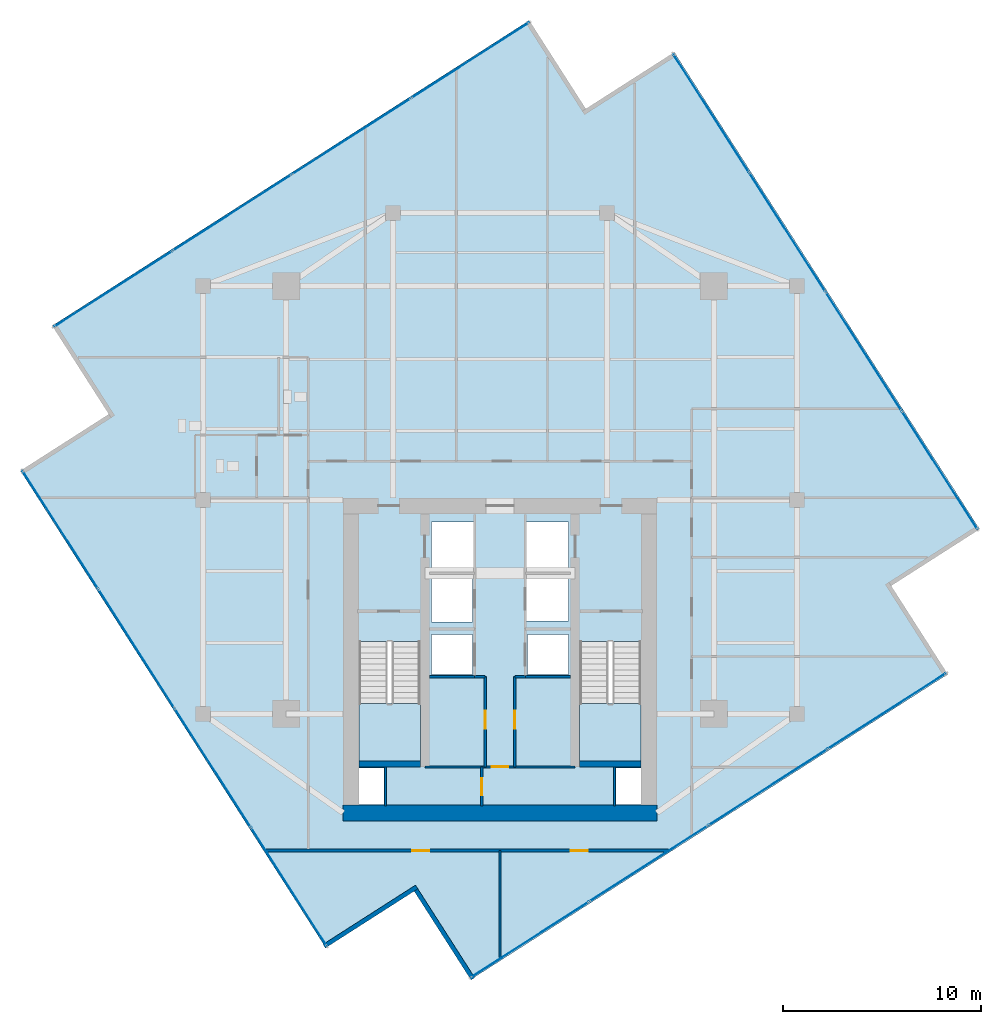
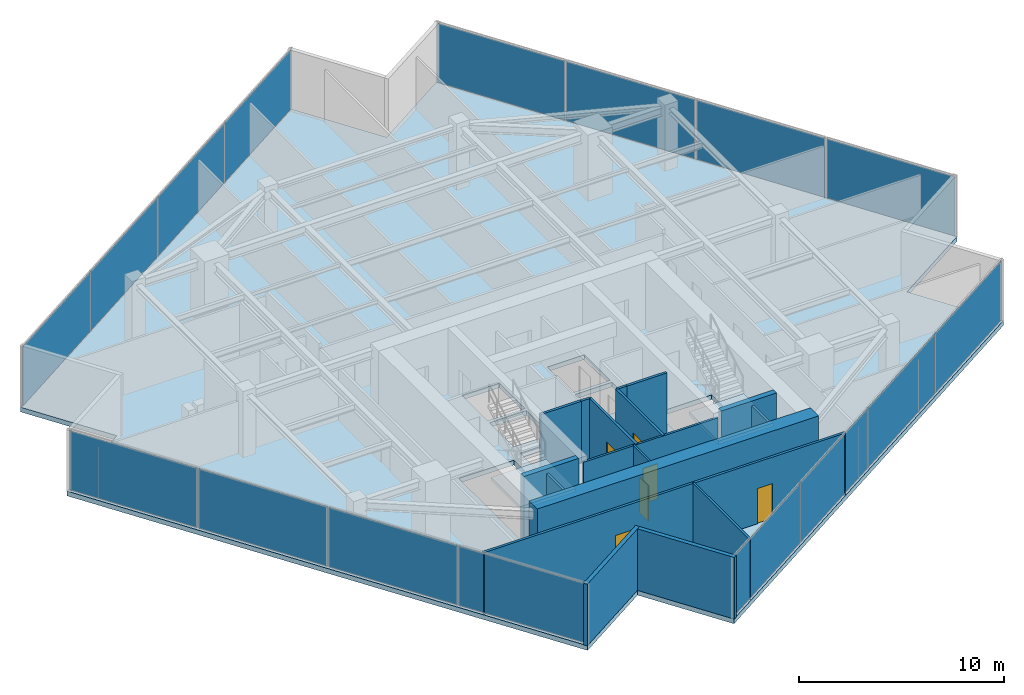
# One storey, part 16 of 20: 17 walls, 16 plates, 6 doors, 3 slabs, 6 openings, 6 elements without a shape of their own.
"""IFC4 building model written with IfcOpenShell, lengths in metres."""

import ifcopenshell
import ifcopenshell.guid

model = None  # the IFC model being written
_history = None  # IfcOwnerHistory: only IFC2X3 demands one
_inside = {}  # id of a spatial element -> (the spatial element, [elements in it])
_under = {}  # id of a project, library or spatial element -> (it, [spatial elements below it])
_declared = {}  # id of a project -> (the project, [libraries it declares])
_typed = {}  # id of a type object -> (the type object, [elements of that type])
_made_of = {}  # id of a material, layer set ... -> (it, [elements and type objects made of it])


def new_model(schema):
    """Start an empty IFC model of exactly this schema.

    Asked for "IFC4X3", IfcOpenShell would pick the latest addendum, in which some entities
    have other attributes; the version numbers below select the first issue.
    IFC2X3 requires an IfcOwnerHistory on every rooted entity: one is made here for all.
    """
    global model, _history
    if schema == "IFC4X3":
        model = ifcopenshell.file(schema_version=(4, 3, 0, 0))
    else:
        model = ifcopenshell.file(schema=schema)
    _inside.clear()
    _under.clear()
    _declared.clear()
    _typed.clear()
    _made_of.clear()
    _history = None
    if model.schema == "IFC2X3":
        org = make("IfcOrganization", Name="unknown")
        user = make(
            "IfcPersonAndOrganization",
            ThePerson=make("IfcPerson", FamilyName="unknown"),
            TheOrganization=org,
        )
        app = make(
            "IfcApplication",
            ApplicationDeveloper=org,
            Version="unknown",
            ApplicationFullName="unknown",
            ApplicationIdentifier="unknown",
        )
        _history = make(
            "IfcOwnerHistory",
            OwningUser=user,
            OwningApplication=app,
            ChangeAction="ADDED",
            CreationDate=0,
        )
    return model


def make(cls, **values):
    """One entity of the class cls with the attributes given. An attribute that is None is left unset."""
    return model.create_entity(
        cls, **{name: value for name, value in values.items() if value is not None}
    )


def rooted(cls, **values):
    """An entity with a GlobalId (a new one), such as an element, a storey or a relation."""
    return make(cls, GlobalId=ifcopenshell.guid.new(), OwnerHistory=_history, **values)


def si_unit(unit_type, name, prefix=None):
    """IfcSIUnit, for example si_unit("LENGTHUNIT", "METRE", prefix="MILLI")."""
    return make("IfcSIUnit", UnitType=unit_type, Prefix=prefix, Name=name)


def assignment(units):
    """IfcUnitAssignment: the units of a project."""
    return None if units is None else make("IfcUnitAssignment", Units=units)


def point(xyz):
    """IfcCartesianPoint."""
    return None if xyz is None else make("IfcCartesianPoint", Coordinates=xyz)


def direction(xyz):
    """IfcDirection."""
    return None if xyz is None else make("IfcDirection", DirectionRatios=xyz)


def frame(location, z_axis=None, x_axis=None):
    """IfcAxis2Placement3D, a coordinate frame: its origin and axes. An axis left out is left unset."""
    return make(
        "IfcAxis2Placement3D",
        Location=point(location),
        Axis=direction(z_axis),
        RefDirection=direction(x_axis),
    )


def frame_2d(location, x_axis=None):
    """IfcAxis2Placement2D, a coordinate frame in the plane: its origin and x axis."""
    return make(
        "IfcAxis2Placement2D", Location=point(location), RefDirection=direction(x_axis)
    )


def origin():
    """The frame at (0, 0, 0) with its axes left unset."""
    return frame((0.0, 0.0, 0.0))


def origin_2d():
    """The frame at (0, 0) in the plane with its x axis left unset."""
    return frame_2d((0.0, 0.0))


def place(relative_to, where):
    """IfcLocalPlacement: puts the frame where relative to a parent placement (None: the world)."""
    return make(
        "IfcLocalPlacement", PlacementRelTo=relative_to, RelativePlacement=where
    )


def context(
    kind, dimensions, precision=None, world=None, true_north=None, identifier=None
):
    """IfcGeometricRepresentationContext, for example the 3D "Model" context."""
    return make(
        "IfcGeometricRepresentationContext",
        ContextIdentifier=identifier,
        ContextType=kind,
        CoordinateSpaceDimension=dimensions,
        Precision=precision,
        WorldCoordinateSystem=world,
        TrueNorth=true_north,
    )


def subcontext(parent, identifier, kind, view, scale=None):
    """IfcGeometricRepresentationSubContext, for example "Body" below "Model"."""
    return make(
        "IfcGeometricRepresentationSubContext",
        ContextIdentifier=identifier,
        ContextType=kind,
        ParentContext=parent,
        TargetScale=scale,
        TargetView=view,
    )


def project(units=None, contexts=None):
    """IfcProject with its units and contexts."""
    return rooted(
        "IfcProject",
        Name="project",
        RepresentationContexts=contexts,
        UnitsInContext=assignment(units),
    )


def spatial(cls, under=None, at=None, **own):
    """A site, building, storey or space (cls), placed at a placement, below another one or the project."""
    s = rooted(cls, ObjectPlacement=at, **own)
    if under is not None:
        _under.setdefault(under.id(), (under, []))[1].append(s)
    return s


def polyline(points):
    """IfcPolyline through the points."""
    return make("IfcPolyline", Points=[point(p) for p in points])


def profile(cls, at=None, kind="AREA", **sizes):
    """A parametric profile (cls). Its sizes go by their IFC names, for example OverallWidth=200.0."""
    return make(cls, ProfileType=kind, Position=at, **sizes)


def rectangle(**sizes):
    """IfcRectangleProfileDef."""
    return profile("IfcRectangleProfileDef", **sizes)


def outline(outer, holes=None, kind="AREA"):
    """IfcArbitraryClosedProfileDef: a profile drawn as a closed curve; with holes, ...WithVoids."""
    if holes is None:
        return make("IfcArbitraryClosedProfileDef", ProfileType=kind, OuterCurve=outer)
    return make(
        "IfcArbitraryProfileDefWithVoids",
        ProfileType=kind,
        OuterCurve=outer,
        InnerCurves=holes,
    )


def extrude(swept, where, along, depth):
    """IfcExtrudedAreaSolid: the profile swept, set in the frame where, extruded along a direction by depth."""
    return make(
        "IfcExtrudedAreaSolid",
        SweptArea=swept,
        Position=where,
        ExtrudedDirection=direction(along),
        Depth=depth,
    )


def shape(context_of_items, identifier, shape_type, items):
    """IfcShapeRepresentation: the items that make up one representation, for example the "Body"."""
    return make(
        "IfcShapeRepresentation",
        ContextOfItems=context_of_items,
        RepresentationIdentifier=identifier,
        RepresentationType=shape_type,
        Items=items,
    )


def source(mapping_origin, context_of_items, identifier, shape_type, items):
    """IfcRepresentationMap: a shape defined once, which mapped items show again and again."""
    return make(
        "IfcRepresentationMap",
        MappingOrigin=mapping_origin,
        MappedRepresentation=shape(context_of_items, identifier, shape_type, items),
    )


def transform(
    local_origin,
    x_axis=None,
    y_axis=None,
    z_axis=None,
    scale=None,
    scale2=None,
    scale3=None,
    uniform=True,
):
    """IfcCartesianTransformationOperator3D, or its non-uniform kind. x_axis, y_axis, z_axis: its Axis1, 2, 3."""
    if uniform:
        return make(
            "IfcCartesianTransformationOperator3D",
            Axis1=direction(x_axis),
            Axis2=direction(y_axis),
            LocalOrigin=point(local_origin),
            Scale=scale,
            Axis3=direction(z_axis),
        )
    return make(
        "IfcCartesianTransformationOperator3DnonUniform",
        Axis1=direction(x_axis),
        Axis2=direction(y_axis),
        LocalOrigin=point(local_origin),
        Scale=scale,
        Axis3=direction(z_axis),
        Scale2=scale2,
        Scale3=scale3,
    )


def mapped(mapping_source, mapping_target):
    """IfcMappedItem: shows the shape of a source again, moved by a transform."""
    return make(
        "IfcMappedItem", MappingSource=mapping_source, MappingTarget=mapping_target
    )


def material(Name=None, Category=None):
    """IfcMaterial."""
    return make("IfcMaterial", Name=Name, Category=Category)


def layer(
    of_material, thickness, ventilated=None, Name=None, Category=None, Priority=None
):
    """IfcMaterialLayer: one layer of a wall or slab, of a material (None: an air gap)."""
    return make(
        "IfcMaterialLayer",
        Material=of_material,
        LayerThickness=thickness,
        IsVentilated=ventilated,
        Name=Name,
        Category=Category,
        Priority=Priority,
    )


def layer_set(layers, Name=None):
    """IfcMaterialLayerSet."""
    return make("IfcMaterialLayerSet", MaterialLayers=layers, LayerSetName=Name)


def made_of(thing, what):
    """Note that an element or type object is made of a material, layer set ...; save() writes the relation."""
    if what is not None:
        _made_of.setdefault(what.id(), (what, []))[1].append(thing)
    return thing


def type_object(cls, material=None, **own):
    """A type object (cls), such as IfcWallType, which elements share."""
    return made_of(rooted(cls, **own), material)


def type_shapes(of_type, sources):
    """Give a type object the sources (RepresentationMaps) that its elements show as mapped items."""
    of_type.RepresentationMaps = sources


def element(
    cls,
    number,
    at=None,
    inside=None,
    cuts=None,
    type_object=None,
    material=None,
    context=None,
    identifier="Body",
    shape_type=None,
    held_by="IfcProductDefinitionShape",
    body=None,
    shapes=None,
    **own,
):
    """One element of the class cls, such as IfcWall. Its Tag is "e" and its number.

    at: its placement. inside: the storey or other place that contains it. cuts: it is an
    opening in that element (IfcRelVoidsElement). A single representation is given by context,
    identifier, shape_type and body (its items); several are given by shapes. held_by: the class
    of the entity that holds the representations. save() writes the other relations.
    """
    e = rooted(cls, Tag="e%d" % number, ObjectPlacement=at, **own)
    if body is not None:
        shapes = [shape(context, identifier, shape_type, body)]
    if shapes is not None:
        e.Representation = make(held_by, Representations=shapes)
    if inside is not None:
        _inside.setdefault(inside.id(), (inside, []))[1].append(e)
    if cuts is not None:
        rooted(
            "IfcRelVoidsElement", RelatingBuildingElement=cuts, RelatedOpeningElement=e
        )
    if type_object is not None:
        _typed.setdefault(type_object.id(), (type_object, []))[1].append(e)
    return made_of(e, material)


def fill(opening, filler):
    """IfcRelFillsElement: the door or window that sits in an opening."""
    return rooted(
        "IfcRelFillsElement",
        RelatingOpeningElement=opening,
        RelatedBuildingElement=filler,
    )


def aggregate(whole, parts):
    """IfcRelAggregates: a whole, such as a stair, and the parts it consists of."""
    return rooted("IfcRelAggregates", RelatingObject=whole, RelatedObjects=parts)


def save(model, path):
    """Write the relations noted so far, then the file.

    IfcRelAggregates (storeys below a building ...), IfcRelContainedInSpatialStructure (elements
    in a storey), IfcRelDefinesByType, IfcRelAssociatesMaterial and IfcRelDeclares: one each for
    every whole, place, type object, material and project.
    """
    for whole, parts in _under.values():
        aggregate(whole, parts)
    for where, things in _inside.values():
        rooted(
            "IfcRelContainedInSpatialStructure",
            RelatedElements=things,
            RelatingStructure=where,
        )
    for kind, things in _typed.values():
        rooted("IfcRelDefinesByType", RelatedObjects=things, RelatingType=kind)
    for what, things in _made_of.values():
        rooted("IfcRelAssociatesMaterial", RelatedObjects=things, RelatingMaterial=what)
    for by, libraries in _declared.values():
        rooted("IfcRelDeclares", RelatingContext=by, RelatedDefinitions=libraries)
    model.write(path)


model = new_model("IFC4")

# Units and contexts
model_context = context("Model", 3, precision=1e-05, world=origin(), true_north=direction((0.0, 1.0)))
body_context = subcontext(model_context, "Body", "Model", "MODEL_VIEW")
ifc_project = project(units=[si_unit("LENGTHUNIT", "METRE"), si_unit("AREAUNIT", "SQUARE_METRE"), si_unit("VOLUMEUNIT", "CUBIC_METRE"), si_unit("PLANEANGLEUNIT", "RADIAN"), si_unit("MASSUNIT", "GRAM", prefix="KILO")], contexts=[model_context])

# Site, building, storey
site_placement = place(None, origin())
site = spatial("IfcSite", under=ifc_project, at=site_placement, CompositionType="ELEMENT")
building_placement = place(site_placement, origin())
building = spatial("IfcBuilding", under=site, at=building_placement, Name="Krantzveldt Concourse Tower", CompositionType="ELEMENT")
storey_placement = place(building_placement, frame((0.0, 0.0, 291.10009765625)))
storey = spatial("IfcBuildingStorey", under=building, at=storey_placement, Name="L71", CompositionType="ELEMENT", Elevation=291.10009765625)

# Stair, slab
ifc_material_1 = material(Name="Precast concrete C40/50", Category="concrete")
stair_type = type_object("IfcStairType", Name="STR-CORE-DOGLEG", PredefinedType="HALF_TURN_STAIR", material=ifc_material_1)
stair_1_placement = place(storey_placement, origin())
stair_1 = element("IfcStair", 1, at=stair_1_placement, inside=storey, type_object=stair_type, Name="L71 Protected Escape Stair ST-1", PredefinedType="HALF_TURN_STAIR")
ifc_layer_1 = layer(ifc_material_1, 0.199951171875, Name="Precast concrete C40/50", Category="concrete")
ifc_layer_set_1 = layer_set([ifc_layer_1], Name="Precast concrete C40/50 (SL-LANDING-200)")
slab_type_1 = type_object("IfcSlabType", Name="SL-LANDING-200", PredefinedType="LANDING", material=ifc_layer_set_1)
slab_1_placement = place(storey_placement, frame((0.0, 0.0, 1.77490234375)))
slab_1 = element("IfcSlab", 2, at=slab_1_placement, type_object=slab_type_1, Name="ST-1 landing 1", PredefinedType="LANDING", context=body_context, shape_type="SweptSolid", body=[
    extrude(outline(polyline([(28.8798828125, 16.4150390625), (28.8798828125, 13.52001953125), (31.97998046875, 13.52001953125), (31.97998046875, 16.4150390625), (28.8798828125, 16.4150390625)])), origin(), (0.0, 0.0, 1.0), 0.199951171875),
])
aggregate(stair_1, [slab_1])

stair_2_placement = place(storey_placement, origin())
stair_2 = element("IfcStair", 3, at=stair_2_placement, inside=storey, type_object=stair_type, Name="L71 Protected Escape Stair ST-2", PredefinedType="HALF_TURN_STAIR")
slab_2_placement = place(storey_placement, frame((0.0, 0.0, 1.77490234375)))
slab_2 = element("IfcSlab", 4, at=slab_2_placement, type_object=slab_type_1, Name="ST-2 landing 1", PredefinedType="LANDING", context=body_context, shape_type="SweptSolid", body=[
    extrude(outline(polyline([(40.02001953125, 16.4150390625), (40.02001953125, 13.52001953125), (43.1201171875, 13.52001953125), (43.1201171875, 16.4150390625), (40.02001953125, 16.4150390625)])), origin(), (0.0, 0.0, 1.0), 0.199951171875),
])
aggregate(stair_2, [slab_2])

# Slab
ifc_material_2 = material(Name="Concrete C40/50", Category="concrete")
ifc_layer_2 = layer(ifc_material_2, 0.280029296875, Name="Concrete C40/50", Category="concrete")
ifc_layer_set_2 = layer_set([ifc_layer_2], Name="Concrete C40/50 (SL-SL-TWR280)")
slab_type_2 = type_object("IfcSlabType", Name="SL-SL-TWR280", PredefinedType="FLOOR", material=ifc_layer_set_2)
slab_3_placement = place(storey_placement, frame((0.0, 0.0, -0.280029296875)))
element("IfcSlab", 5, at=slab_3_placement, inside=storey, type_object=slab_type_2, Name="SL-L71-MAIN", PredefinedType="FLOOR", context=body_context, shape_type="SweptSolid", body=[
    extrude(outline(polyline([(40.333984375, 46.453369140625), (37.4765625, 50.917236328125), (13.38916015625, 35.497802734375), (16.24658203125, 31.033935546875), (11.782958984375, 28.176513671875), (27.2021484375, 4.089111328125), (31.666015625, 6.946533203125), (34.5234375, 2.48291015625), (58.61083984375, 17.902099609375), (55.75341796875, 22.365966796875), (60.217041015625, 25.223388671875), (44.7978515625, 49.310791015625), (40.333984375, 46.453369140625)]), holes=[polyline([(28.8798828125, 19.547607421875), (28.8798828125, 13.52001953125), (31.97998046875, 13.52001953125), (31.97998046875, 19.547607421875), (28.8798828125, 19.547607421875)]), polyline([(40.02001953125, 19.547607421875), (40.02001953125, 13.52001953125), (43.1201171875, 13.52001953125), (43.1201171875, 19.547607421875), (40.02001953125, 19.547607421875)]), polyline([(32.550048828125, 23.10009765625), (34.64990234375, 23.10009765625), (34.64990234375, 25.60009765625), (32.550048828125, 25.60009765625), (32.550048828125, 23.10009765625)]), polyline([(37.35009765625, 23.10009765625), (39.449951171875, 23.10009765625), (39.449951171875, 25.60009765625), (37.35009765625, 25.60009765625), (37.35009765625, 23.10009765625)]), polyline([(37.35009765625, 20.60009765625), (39.449951171875, 20.60009765625), (39.449951171875, 22.89990234375), (37.35009765625, 22.89990234375), (37.35009765625, 20.60009765625)]), polyline([(32.550048828125, 20.550048828125), (34.6201171875, 20.550048828125), (34.6201171875, 22.89990234375), (32.550048828125, 22.89990234375), (32.550048828125, 20.550048828125)]), polyline([(32.550048828125, 17.8798828125), (34.6201171875, 17.8798828125), (34.6201171875, 19.919921875), (32.550048828125, 19.919921875), (32.550048828125, 17.8798828125)]), polyline([(37.3798828125, 17.8798828125), (39.449951171875, 17.8798828125), (39.449951171875, 19.919921875), (37.3798828125, 19.919921875), (37.3798828125, 17.8798828125)]), polyline([(28.8798828125, 11.320068359375), (30.139892578125, 11.320068359375), (30.139892578125, 13.159912109375), (28.8798828125, 13.159912109375), (28.8798828125, 11.320068359375)]), polyline([(41.860107421875, 11.320068359375), (43.1201171875, 11.320068359375), (43.1201171875, 13.159912109375), (41.860107421875, 13.159912109375), (41.860107421875, 11.320068359375)])]), origin(), (0.0, 0.0, 1.0), 0.280029296875),
])

# Curtain wall, plates
ifc_material_3 = material(Name="Anodised aluminium 6063-T6", Category="aluminium")
curtain_wall_type = type_object("IfcCurtainWallType", Name="CW4", PredefinedType="USERDEFINED", material=ifc_material_3)
curtain_wall_1_placement = place(storey_placement, origin())
curtain_wall_1 = element("IfcCurtainWall", 6, at=curtain_wall_1_placement, inside=storey, type_object=curtain_wall_type, Name="CW-L71-F01", ObjectType="UNITISED CURTAIN WALL", PredefinedType="USERDEFINED")
ifc_material_4 = material(Name="Bronze-tinted laminated low-E IGU glass", Category="glass")
ifc_layer_3 = layer(ifc_material_4, 0.031982421875, Name="Bronze-tinted laminated low-E IGU glass", Category="glass")
ifc_layer_set_3 = layer_set([ifc_layer_3], Name="Bronze-tinted laminated low-E IGU glass (CW-GLZ-32)")
plate_type = type_object("IfcPlateType", Name="CW-GLZ-32", PredefinedType="CURTAIN_PANEL", material=ifc_layer_set_3)
shared_shape_1 = source(origin(), body_context, "Body", "SweptSolid", [
    extrude(rectangle(XDim=7.044921875, YDim=0.031982421875, at=origin_2d()), origin(), (0.0, 0.0, 1.0), 3.530029296875),
])
plate_1_placement = place(storey_placement, frame((34.49951171875, 48.904541015625, 0.06982421875), z_axis=(0.0, 0.0, 1.0), x_axis=(-0.842217243088, -0.53913830827, 0.0)))
plate_1 = element("IfcPlate", 7, at=plate_1_placement, type_object=plate_type, Name="CW-Z56 panel 1.1", PredefinedType="CURTAIN_PANEL", context=body_context, shape_type="MappedRepresentation", body=[
    mapped(shared_shape_1, transform((0.0, 0.0, 0.0), x_axis=(1.0, 0.0, 0.0), y_axis=(0.0, 1.0, 0.0), z_axis=(0.0, 0.0, 1.0), scale=1.0)),
])
plate_2_placement = place(storey_placement, frame((16.46337890625, 37.35888671875, 0.06982421875), z_axis=(0.0, 0.0, 1.0), x_axis=(-0.842217243088, -0.53913830827, 0.0)))
plate_2 = element("IfcPlate", 8, at=plate_2_placement, type_object=plate_type, Name="CW-Z56 panel 4.1", PredefinedType="CURTAIN_PANEL", context=body_context, shape_type="MappedRepresentation", body=[
    mapped(shared_shape_1, transform((0.0, 0.0, 0.0), x_axis=(1.0, 0.0, 0.0), y_axis=(0.0, 1.0, 0.0), z_axis=(0.0, 0.0, 1.0), scale=1.0)),
])

curtain_wall_2_placement = place(storey_placement, origin())
curtain_wall_2 = element("IfcCurtainWall", 9, at=curtain_wall_2_placement, inside=storey, type_object=curtain_wall_type, Name="CW-L71-F04", ObjectType="UNITISED CURTAIN WALL", PredefinedType="USERDEFINED")
plate_3_placement = place(storey_placement, frame((13.79541015625, 25.199462890625, 0.06982421875), z_axis=(0.0, 0.0, 1.0), x_axis=(0.53913830827, -0.842217243088, 0.0)))
plate_3 = element("IfcPlate", 10, at=plate_3_placement, type_object=plate_type, Name="CW-Z56 panel 1.1", PredefinedType="CURTAIN_PANEL", context=body_context, shape_type="MappedRepresentation", body=[
    mapped(shared_shape_1, transform((0.0, 0.0, 0.0), x_axis=(1.0, 0.0, 0.0), y_axis=(0.0, 1.0, 0.0), z_axis=(0.0, 0.0, 1.0), scale=1.0)),
])
plate_4_placement = place(storey_placement, frame((25.341064453125, 7.163330078125, 0.06982421875), z_axis=(0.0, 0.0, 1.0), x_axis=(0.53913830827, -0.842217243088, 0.0)))
plate_4 = element("IfcPlate", 11, at=plate_4_placement, type_object=plate_type, Name="CW-Z56 panel 4.1", PredefinedType="CURTAIN_PANEL", context=body_context, shape_type="MappedRepresentation", body=[
    mapped(shared_shape_1, transform((0.0, 0.0, 0.0), x_axis=(1.0, 0.0, 0.0), y_axis=(0.0, 1.0, 0.0), z_axis=(0.0, 0.0, 1.0), scale=1.0)),
])

curtain_wall_3_placement = place(storey_placement, origin())
curtain_wall_3 = element("IfcCurtainWall", 12, at=curtain_wall_3_placement, inside=storey, type_object=curtain_wall_type, Name="CW-L71-F07", ObjectType="UNITISED CURTAIN WALL", PredefinedType="USERDEFINED")
plate_5_placement = place(storey_placement, frame((37.50048828125, 4.49560546875, 0.06982421875), z_axis=(0.0, 0.0, 1.0), x_axis=(0.842217243088, 0.53913830827, 0.0)))
plate_5 = element("IfcPlate", 13, at=plate_5_placement, type_object=plate_type, Name="CW-Z56 panel 1.1", PredefinedType="CURTAIN_PANEL", context=body_context, shape_type="MappedRepresentation", body=[
    mapped(shared_shape_1, transform((0.0, 0.0, 0.0), x_axis=(1.0, 0.0, 0.0), y_axis=(0.0, 1.0, 0.0), z_axis=(0.0, 0.0, 1.0), scale=1.0)),
])
plate_6_placement = place(storey_placement, frame((55.53662109375, 16.041259765625, 0.06982421875), z_axis=(0.0, 0.0, 1.0), x_axis=(0.842217243088, 0.53913830827, 0.0)))
plate_6 = element("IfcPlate", 14, at=plate_6_placement, type_object=plate_type, Name="CW-Z56 panel 4.1", PredefinedType="CURTAIN_PANEL", context=body_context, shape_type="MappedRepresentation", body=[
    mapped(shared_shape_1, transform((0.0, 0.0, 0.0), x_axis=(1.0, 0.0, 0.0), y_axis=(0.0, 1.0, 0.0), z_axis=(0.0, 0.0, 1.0), scale=1.0)),
])

curtain_wall_4_placement = place(storey_placement, origin())
curtain_wall_4 = element("IfcCurtainWall", 15, at=curtain_wall_4_placement, inside=storey, type_object=curtain_wall_type, Name="CW-L71-F10", ObjectType="UNITISED CURTAIN WALL", PredefinedType="USERDEFINED")
plate_7_placement = place(storey_placement, frame((58.20458984375, 28.200439453125, 0.06982421875), z_axis=(0.0, 0.0, 1.0), x_axis=(-0.53913830827, 0.842217243088, 0.0)))
plate_7 = element("IfcPlate", 16, at=plate_7_placement, type_object=plate_type, Name="CW-Z56 panel 1.1", PredefinedType="CURTAIN_PANEL", context=body_context, shape_type="MappedRepresentation", body=[
    mapped(shared_shape_1, transform((0.0, 0.0, 0.0), x_axis=(1.0, 0.0, 0.0), y_axis=(0.0, 1.0, 0.0), z_axis=(0.0, 0.0, 1.0), scale=1.0)),
])
plate_8_placement = place(storey_placement, frame((46.658935546875, 46.236572265625, 0.06982421875), z_axis=(0.0, 0.0, 1.0), x_axis=(-0.53913830827, 0.842217243088, 0.0)))
plate_8 = element("IfcPlate", 17, at=plate_8_placement, type_object=plate_type, Name="CW-Z56 panel 4.1", PredefinedType="CURTAIN_PANEL", context=body_context, shape_type="MappedRepresentation", body=[
    mapped(shared_shape_1, transform((0.0, 0.0, 0.0), x_axis=(1.0, 0.0, 0.0), y_axis=(0.0, 1.0, 0.0), z_axis=(0.0, 0.0, 1.0), scale=1.0)),
])

# Plate
shared_shape_2 = source(origin(), body_context, "Body", "SweptSolid", [
    extrude(rectangle(XDim=7.080078125, YDim=0.031982421875, at=origin_2d()), origin(), (0.0, 0.0, 1.0), 3.530029296875),
])
type_shapes(plate_type, [shared_shape_1, shared_shape_2])
plate_9_placement = place(storey_placement, frame((28.492431640625, 45.05908203125, 0.06982421875), z_axis=(0.0, 0.0, 1.0), x_axis=(-0.842217243088, -0.53913830827, 0.0)))
plate_9 = element("IfcPlate", 18, at=plate_9_placement, type_object=plate_type, Name="CW-Z56 panel 2.1", PredefinedType="CURTAIN_PANEL", context=body_context, shape_type="MappedRepresentation", body=[
    mapped(shared_shape_2, transform((0.0, 0.0, 0.0), x_axis=(1.0, 0.0, 0.0), y_axis=(0.0, 1.0, 0.0), z_axis=(0.0, 0.0, 1.0), scale=1.0)),
])

plate_10_placement = place(storey_placement, frame((22.470458984375, 41.204345703125, 0.06982421875), z_axis=(0.0, 0.0, 1.0), x_axis=(-0.842217243088, -0.53913830827, 0.0)))
plate_10 = element("IfcPlate", 19, at=plate_10_placement, type_object=plate_type, Name="CW-Z56 panel 3.1", PredefinedType="CURTAIN_PANEL", context=body_context, shape_type="MappedRepresentation", body=[
    mapped(shared_shape_2, transform((0.0, 0.0, 0.0), x_axis=(1.0, 0.0, 0.0), y_axis=(0.0, 1.0, 0.0), z_axis=(0.0, 0.0, 1.0), scale=1.0)),
])

aggregate(curtain_wall_1, [plate_1, plate_9, plate_10, plate_2])

plate_11_placement = place(storey_placement, frame((17.640869140625, 19.1923828125, 0.06982421875), z_axis=(0.0, 0.0, 1.0), x_axis=(0.53913830827, -0.842217243088, 0.0)))
plate_11 = element("IfcPlate", 20, at=plate_11_placement, type_object=plate_type, Name="CW-Z56 panel 2.1", PredefinedType="CURTAIN_PANEL", context=body_context, shape_type="MappedRepresentation", body=[
    mapped(shared_shape_2, transform((0.0, 0.0, 0.0), x_axis=(1.0, 0.0, 0.0), y_axis=(0.0, 1.0, 0.0), z_axis=(0.0, 0.0, 1.0), scale=1.0)),
])

plate_12_placement = place(storey_placement, frame((21.495849609375, 13.17041015625, 0.06982421875), z_axis=(0.0, 0.0, 1.0), x_axis=(0.53913830827, -0.842217243088, 0.0)))
plate_12 = element("IfcPlate", 21, at=plate_12_placement, type_object=plate_type, Name="CW-Z56 panel 3.1", PredefinedType="CURTAIN_PANEL", context=body_context, shape_type="MappedRepresentation", body=[
    mapped(shared_shape_2, transform((0.0, 0.0, 0.0), x_axis=(1.0, 0.0, 0.0), y_axis=(0.0, 1.0, 0.0), z_axis=(0.0, 0.0, 1.0), scale=1.0)),
])

aggregate(curtain_wall_2, [plate_3, plate_11, plate_12, plate_4])

plate_13_placement = place(storey_placement, frame((43.507568359375, 8.3408203125, 0.06982421875), z_axis=(0.0, 0.0, 1.0), x_axis=(0.842217243088, 0.53913830827, 0.0)))
plate_13 = element("IfcPlate", 22, at=plate_13_placement, type_object=plate_type, Name="CW-Z56 panel 2.1", PredefinedType="CURTAIN_PANEL", context=body_context, shape_type="MappedRepresentation", body=[
    mapped(shared_shape_2, transform((0.0, 0.0, 0.0), x_axis=(1.0, 0.0, 0.0), y_axis=(0.0, 1.0, 0.0), z_axis=(0.0, 0.0, 1.0), scale=1.0)),
])

plate_14_placement = place(storey_placement, frame((49.529541015625, 12.19580078125, 0.06982421875), z_axis=(0.0, 0.0, 1.0), x_axis=(0.842217243088, 0.53913830827, 0.0)))
plate_14 = element("IfcPlate", 23, at=plate_14_placement, type_object=plate_type, Name="CW-Z56 panel 3.1", PredefinedType="CURTAIN_PANEL", context=body_context, shape_type="MappedRepresentation", body=[
    mapped(shared_shape_2, transform((0.0, 0.0, 0.0), x_axis=(1.0, 0.0, 0.0), y_axis=(0.0, 1.0, 0.0), z_axis=(0.0, 0.0, 1.0), scale=1.0)),
])

aggregate(curtain_wall_3, [plate_5, plate_13, plate_14, plate_6])

plate_15_placement = place(storey_placement, frame((54.359130859375, 34.207763671875, 0.06982421875), z_axis=(0.0, 0.0, 1.0), x_axis=(-0.53913830827, 0.842217243088, 0.0)))
plate_15 = element("IfcPlate", 24, at=plate_15_placement, type_object=plate_type, Name="CW-Z56 panel 2.1", PredefinedType="CURTAIN_PANEL", context=body_context, shape_type="MappedRepresentation", body=[
    mapped(shared_shape_2, transform((0.0, 0.0, 0.0), x_axis=(1.0, 0.0, 0.0), y_axis=(0.0, 1.0, 0.0), z_axis=(0.0, 0.0, 1.0), scale=1.0)),
])

plate_16_placement = place(storey_placement, frame((50.504150390625, 40.2294921875, 0.06982421875), z_axis=(0.0, 0.0, 1.0), x_axis=(-0.53913830827, 0.842217243088, 0.0)))
plate_16 = element("IfcPlate", 25, at=plate_16_placement, type_object=plate_type, Name="CW-Z56 panel 3.1", PredefinedType="CURTAIN_PANEL", context=body_context, shape_type="MappedRepresentation", body=[
    mapped(shared_shape_2, transform((0.0, 0.0, 0.0), x_axis=(1.0, 0.0, 0.0), y_axis=(0.0, 1.0, 0.0), z_axis=(0.0, 0.0, 1.0), scale=1.0)),
])

aggregate(curtain_wall_4, [plate_7, plate_15, plate_16, plate_8])

# Walls
ifc_layer_4 = layer(ifc_material_3, 0.219970703125, Name="Anodised aluminium 6063-T6", Category="aluminium")
ifc_layer_set_4 = layer_set([ifc_layer_4], Name="Anodised aluminium 6063-T6 (WL-EXT-NOTCH220)")
wall_type_1 = type_object("IfcWallType", Name="WL-EXT-NOTCH220", PredefinedType="ELEMENTEDWALL", material=ifc_layer_set_4)
wall_1_placement = place(storey_placement, frame((27.121826171875, 4.16845703125, 0.0), z_axis=(0.0, 0.0, 1.0), x_axis=(0.842222620948, 0.539129907131, 0.0)))
element("IfcWall", 26, at=wall_1_placement, inside=storey, type_object=wall_type_1, Name="EW-L71-NCH05", PredefinedType="ELEMENTEDWALL", context=body_context, shape_type="SweptSolid", body=[
    extrude(rectangle(XDim=5.545166015625, YDim=0.219970703125, at=frame_2d((2.7724609375, 0.0))), origin(), (0.0, 0.0, 1.0), 3.669921875),
])
wall_2_placement = place(storey_placement, frame((31.758544921875, 7.005859375, 0.0), z_axis=(0.0, 0.0, 1.0), x_axis=(0.539157771194, -0.842204783744, 0.0)))
element("IfcWall", 27, at=wall_2_placement, inside=storey, type_object=wall_type_1, Name="EW-L71-NCH06", PredefinedType="ELEMENTEDWALL", context=body_context, shape_type="SweptSolid", body=[
    extrude(rectangle(XDim=5.3251953125, YDim=0.219970703125, at=frame_2d((2.66259765625, 0.0))), origin(), (0.0, 0.0, 1.0), 3.669921875),
])

# Wall, opening, door
ifc_material_5 = material(Name="Fire-rated gypsum plasterboard on steel stud", Category="steel")
ifc_layer_5 = layer(ifc_material_5, 0.1201171875, Name="Fire-rated gypsum plasterboard on steel stud", Category="steel")
ifc_layer_set_5 = layer_set([ifc_layer_5], Name="Fire-rated gypsum plasterboard on steel stud (WL-PART-120)")
wall_type_2 = type_object("IfcWallType", Name="WL-PART-120", PredefinedType="PARTITIONING", material=ifc_layer_set_5)
wall_3_placement = place(storey_placement, frame((32.2099609375, 13.219970703125, 0.0), z_axis=(0.0, 0.0, 1.0), x_axis=(1.0, 0.0, 0.0)))
wall_3 = element("IfcWall", 28, at=wall_3_placement, inside=storey, type_object=wall_type_2, Name="WP-L71-CS2H", PredefinedType="PARTITIONING", context=body_context, shape_type="SweptSolid", body=[
    extrude(rectangle(XDim=7.580078125, YDim=0.1201171875, at=frame_2d((3.7900390625, 0.0))), origin(), (0.0, 0.0, 1.0), 3.669921875),
])
opening_1_placement = place(wall_3_placement, frame((3.364990234375, 0.0, 0.0)))
opening_1 = element("IfcOpeningElement", 29, at=opening_1_placement, cuts=wall_3, Name="Opening D-IN085", PredefinedType="OPENING", context=body_context, shape_type="SweptSolid", body=[
    extrude(rectangle(XDim=0.85009765625, YDim=2.10009765625, at=frame_2d((0.425048828125, 1.050048828125))), frame((0.0, 0.070068359375, 0.0), z_axis=(0.0, -1.0, 0.0), x_axis=(1.0, 0.0, 0.0)), (0.0, 0.0, 1.0), 0.14013671875),
])
ifc_material_6 = material(Name="Hardwood timber", Category="wood")
door_type_1 = type_object("IfcDoorType", Name="DR-INT-850", OperationType="SINGLE_SWING_LEFT", PredefinedType="DOOR", material=ifc_material_6)
door_1_placement = place(opening_1_placement, origin())
door_1 = element("IfcDoor", 30, at=door_1_placement, inside=storey, type_object=door_type_1, Name="DR-L71-LLBS", OperationType="SINGLE_SWING_RIGHT", OverallHeight=2.10009765625, OverallWidth=0.85009765625, PredefinedType="DOOR", context=body_context, shape_type="SweptSolid", body=[
    extrude(rectangle(XDim=0.85009765625, YDim=2.10009765625, at=frame_2d((0.425048828125, 1.050048828125))), frame((0.0, 0.02490234375, 0.0), z_axis=(0.0, -1.0, 0.0), x_axis=(1.0, 0.0, 0.0)), (0.0, 0.0, 1.0), 0.050048828125),
])
fill(opening_1, door_1)

wall_4_placement = place(storey_placement, frame((35.080078125, 11.25, 0.0), z_axis=(0.0, 0.0, 1.0), x_axis=(0.0, 1.0, 0.0)))
wall_4 = element("IfcWall", 31, at=wall_4_placement, inside=storey, type_object=wall_type_2, Name="WP-L71-CSA-V", PredefinedType="PARTITIONING", context=body_context, shape_type="SweptSolid", body=[
    extrude(rectangle(XDim=1.969970703125, YDim=0.1201171875, at=frame_2d((0.98486328125, 0.0))), origin(), (0.0, 0.0, 1.0), 3.669921875),
])
opening_2_placement = place(wall_4_placement, frame((0.544921875, 0.0, 0.0)))
opening_2 = element("IfcOpeningElement", 32, at=opening_2_placement, cuts=wall_4, Name="Opening D-IN085", PredefinedType="OPENING", context=body_context, shape_type="SweptSolid", body=[
    extrude(rectangle(XDim=0.85009765625, YDim=2.10009765625, at=frame_2d((0.425048828125, 1.050048828125))), frame((0.0, 0.070068359375, 0.0), z_axis=(0.0, -1.0, 0.0), x_axis=(1.0, 0.0, 0.0)), (0.0, 0.0, 1.0), 0.14013671875),
])
door_2_placement = place(opening_2_placement, origin())
door_2 = element("IfcDoor", 33, at=door_2_placement, inside=storey, type_object=door_type_1, Name="DR-L71-CSA1", OperationType="SINGLE_SWING_LEFT", OverallHeight=2.10009765625, OverallWidth=0.85009765625, PredefinedType="DOOR", context=body_context, shape_type="SweptSolid", body=[
    extrude(rectangle(XDim=0.85009765625, YDim=2.10009765625, at=frame_2d((0.425048828125, 1.050048828125))), frame((0.0, 0.02490234375, 0.0), z_axis=(0.0, -1.0, 0.0), x_axis=(1.0, 0.0, 0.0)), (0.0, 0.0, 1.0), 0.050048828125),
])
fill(opening_2, door_2)

# Wall
wall_5_placement = place(storey_placement, frame((36.0, 3.534912109375, 0.0), z_axis=(0.0, 0.0, 1.0), x_axis=(0.0, 1.0, 0.0)))
element("IfcWall", 34, at=wall_5_placement, inside=storey, type_object=wall_type_2, Name="WP-L71-SSMD", PredefinedType="PARTITIONING", context=body_context, shape_type="SweptSolid", body=[
    extrude(rectangle(XDim=5.465087890625, YDim=0.1201171875, at=frame_2d((2.732421875, 0.0))), origin(), (0.0, 0.0, 1.0), 3.669921875),
])

# Wall, openings, doors
ifc_layer_6 = layer(ifc_material_5, 0.139892578125, Name="Fire-rated gypsum plasterboard on steel stud", Category="steel")
ifc_layer_set_6 = layer_set([ifc_layer_6], Name="Fire-rated gypsum plasterboard on steel stud (WL-PART-140)")
wall_type_3 = type_object("IfcWallType", Name="WL-PART-140", PredefinedType="PARTITIONING", material=ifc_layer_set_6)
wall_6_placement = place(storey_placement, frame((24.16552734375, 9.0, 0.0), z_axis=(0.0, 0.0, 1.0), x_axis=(1.0, 0.0, 0.0)))
wall_6 = element("IfcWall", 35, at=wall_6_placement, inside=storey, type_object=wall_type_3, Name="WP-L71-CSBOT", PredefinedType="PARTITIONING", context=body_context, shape_type="SweptSolid", body=[
    extrude(rectangle(XDim=20.37158203125, YDim=0.139892578125, at=frame_2d((10.185791015625, 0.0))), origin(), (0.0, 0.0, 1.0), 3.669921875),
])
opening_3_placement = place(wall_6_placement, frame((7.409423828125, 0.0, 0.0)))
opening_3 = element("IfcOpeningElement", 36, at=opening_3_placement, cuts=wall_6, Name="Opening D-IN085", PredefinedType="OPENING", context=body_context, shape_type="SweptSolid", body=[
    extrude(rectangle(XDim=0.85009765625, YDim=2.10009765625, at=frame_2d((0.425048828125, 1.050048828125))), frame((0.0, 0.080078125, 0.0), z_axis=(0.0, -1.0, 0.0), x_axis=(1.0, 0.0, 0.0)), (0.0, 0.0, 1.0), 0.159912109375),
])
opening_4_placement = place(wall_6_placement, frame((15.409423828125, 0.0, 0.0)))
opening_4 = element("IfcOpeningElement", 37, at=opening_4_placement, cuts=wall_6, Name="Opening D-IN085", PredefinedType="OPENING", context=body_context, shape_type="SweptSolid", body=[
    extrude(rectangle(XDim=0.85009765625, YDim=2.10009765625, at=frame_2d((0.425048828125, 1.050048828125))), frame((0.0, 0.080078125, 0.0), z_axis=(0.0, -1.0, 0.0), x_axis=(1.0, 0.0, 0.0)), (0.0, 0.0, 1.0), 0.159912109375),
])
door_3_placement = place(opening_3_placement, origin())
door_3 = element("IfcDoor", 38, at=door_3_placement, inside=storey, type_object=door_type_1, Name="DR-L71-SR1", OperationType="SINGLE_SWING_LEFT", OverallHeight=2.10009765625, OverallWidth=0.85009765625, PredefinedType="DOOR", context=body_context, shape_type="SweptSolid", body=[
    extrude(rectangle(XDim=0.85009765625, YDim=2.10009765625, at=frame_2d((0.425048828125, 1.050048828125))), frame((0.0, 0.02490234375, 0.0), z_axis=(0.0, -1.0, 0.0), x_axis=(1.0, 0.0, 0.0)), (0.0, 0.0, 1.0), 0.050048828125),
])
fill(opening_3, door_3)
door_4_placement = place(opening_4_placement, origin())
door_4 = element("IfcDoor", 39, at=door_4_placement, inside=storey, type_object=door_type_1, Name="DR-L71-SR2", OperationType="SINGLE_SWING_LEFT", OverallHeight=2.10009765625, OverallWidth=0.85009765625, PredefinedType="DOOR", context=body_context, shape_type="SweptSolid", body=[
    extrude(rectangle(XDim=0.85009765625, YDim=2.10009765625, at=frame_2d((0.425048828125, 1.050048828125))), frame((0.0, 0.02490234375, 0.0), z_axis=(0.0, -1.0, 0.0), x_axis=(1.0, 0.0, 0.0)), (0.0, 0.0, 1.0), 0.050048828125),
])
fill(opening_4, door_4)

# Walls
ifc_layer_7 = layer(ifc_material_5, 0.139892578125, Name="Fire-rated gypsum plasterboard on steel stud", Category="steel")
ifc_layer_set_7 = layer_set([ifc_layer_7], Name="Fire-rated gypsum plasterboard on steel stud (WL-PART-FR140)")
wall_type_4 = type_object("IfcWallType", Name="WL-PART-FR140", PredefinedType="PARTITIONING", material=ifc_layer_set_7)
for number, where, z_axis, x_axis, name in (
    (40, (32.449951171875, 17.780029296875, 0.0), (0.0, 0.0, 1.0), (1.0, 0.0, 0.0), "WP-L71-DIVW2"),
    (41, (37.280029296875, 17.780029296875, 0.0), (0.0, 0.0, 1.0), (1.0, 0.0, 0.0), "WP-L71-DIVE2"),
):
    element("IfcWall", number, at=place(storey_placement, frame(where, z_axis=z_axis, x_axis=x_axis)), inside=storey, type_object=wall_type_4, Name=name, PredefinedType="PARTITIONING", context=body_context, shape_type="SweptSolid", body=[
        extrude(rectangle(XDim=2.27001953125, YDim=0.139892578125, at=frame_2d((1.135009765625, 0.0))), origin(), (0.0, 0.0, 1.0), 3.669921875),
    ])

# Wall, opening, door
wall_7_placement = place(storey_placement, frame((35.25, 13.219970703125, 0.0), z_axis=(0.0, 0.0, 1.0), x_axis=(0.0, 1.0, 0.0)))
wall_7 = element("IfcWall", 42, at=wall_7_placement, inside=storey, type_object=wall_type_4, Name="WP-L71-RECW", PredefinedType="PARTITIONING", context=body_context, shape_type="SweptSolid", body=[
    extrude(rectangle(XDim=4.56005859375, YDim=0.139892578125, at=frame_2d((2.280029296875, 0.0))), origin(), (0.0, 0.0, 1.0), 3.669921875),
])
opening_5_placement = place(wall_7_placement, frame((1.929931640625, 0.0, 0.0)))
opening_5 = element("IfcOpeningElement", 43, at=opening_5_placement, cuts=wall_7, Name="Opening D-FD090", PredefinedType="OPENING", context=body_context, shape_type="SweptSolid", body=[
    extrude(rectangle(XDim=0.89990234375, YDim=2.10009765625, at=frame_2d((0.449951171875, 1.050048828125))), frame((0.0, 0.080078125, 0.0), z_axis=(0.0, -1.0, 0.0), x_axis=(1.0, 0.0, 0.0)), (0.0, 0.0, 1.0), 0.159912109375),
])
door_type_2 = type_object("IfcDoorType", Name="DR-FD60-900", OperationType="SINGLE_SWING_LEFT", PredefinedType="DOOR", material=ifc_material_6)
door_5_placement = place(opening_5_placement, origin())
door_5 = element("IfcDoor", 44, at=door_5_placement, inside=storey, type_object=door_type_2, Name="DR-L71-RECW", OperationType="SINGLE_SWING_LEFT", OverallHeight=2.10009765625, OverallWidth=0.89990234375, PredefinedType="DOOR", context=body_context, shape_type="SweptSolid", body=[
    extrude(rectangle(XDim=0.89990234375, YDim=2.10009765625, at=frame_2d((0.449951171875, 1.050048828125))), frame((0.0, 0.02490234375, 0.0), z_axis=(0.0, -1.0, 0.0), x_axis=(1.0, 0.0, 0.0)), (0.0, 0.0, 1.0), 0.050048828125),
])
fill(opening_5, door_5)

# Wall
wall_8_placement = place(storey_placement, frame((34.719970703125, 17.780029296875, 0.0), z_axis=(0.0, 0.0, 1.0), x_axis=(1.0, 0.0, 0.0)))
element("IfcWall", 45, at=wall_8_placement, inside=storey, type_object=wall_type_4, Name="WP-L71-RECWN", PredefinedType="PARTITIONING", context=body_context, shape_type="SweptSolid", body=[
    extrude(rectangle(XDim=0.530029296875, YDim=0.139892578125, at=frame_2d((0.26513671875, 0.0))), origin(), (0.0, 0.0, 1.0), 3.669921875),
])

# Wall, opening, door
wall_9_placement = place(storey_placement, frame((36.75, 13.219970703125, 0.0), z_axis=(0.0, 0.0, 1.0), x_axis=(0.0, 1.0, 0.0)))
wall_9 = element("IfcWall", 46, at=wall_9_placement, inside=storey, type_object=wall_type_4, Name="WP-L71-RECE", PredefinedType="PARTITIONING", context=body_context, shape_type="SweptSolid", body=[
    extrude(rectangle(XDim=4.56005859375, YDim=0.139892578125, at=frame_2d((2.280029296875, 0.0))), origin(), (0.0, 0.0, 1.0), 3.669921875),
])
opening_6_placement = place(wall_9_placement, frame((1.929931640625, 0.0, 0.0)))
opening_6 = element("IfcOpeningElement", 47, at=opening_6_placement, cuts=wall_9, Name="Opening D-FD090", PredefinedType="OPENING", context=body_context, shape_type="SweptSolid", body=[
    extrude(rectangle(XDim=0.89990234375, YDim=2.10009765625, at=frame_2d((0.449951171875, 1.050048828125))), frame((0.0, 0.080078125, 0.0), z_axis=(0.0, -1.0, 0.0), x_axis=(1.0, 0.0, 0.0)), (0.0, 0.0, 1.0), 0.159912109375),
])
door_6_placement = place(opening_6_placement, origin())
door_6 = element("IfcDoor", 48, at=door_6_placement, inside=storey, type_object=door_type_2, Name="DR-L71-RECE", OperationType="SINGLE_SWING_RIGHT", OverallHeight=2.10009765625, OverallWidth=0.89990234375, PredefinedType="DOOR", context=body_context, shape_type="SweptSolid", body=[
    extrude(rectangle(XDim=0.89990234375, YDim=2.10009765625, at=frame_2d((0.449951171875, 1.050048828125))), frame((0.0, 0.02490234375, 0.0), z_axis=(0.0, -1.0, 0.0), x_axis=(1.0, 0.0, 0.0)), (0.0, 0.0, 1.0), 0.050048828125),
])
fill(opening_6, door_6)

# Walls
wall_10_placement = place(storey_placement, frame((36.75, 17.780029296875, 0.0), z_axis=(0.0, 0.0, 1.0), x_axis=(1.0, 0.0, 0.0)))
element("IfcWall", 49, at=wall_10_placement, inside=storey, type_object=wall_type_4, Name="WP-L71-RECEN", PredefinedType="PARTITIONING", context=body_context, shape_type="SweptSolid", body=[
    extrude(rectangle(XDim=0.530029296875, YDim=0.139892578125, at=frame_2d((0.26513671875, 0.0))), origin(), (0.0, 0.0, 1.0), 3.669921875),
])
for number, where, z_axis, x_axis, name in (
    (50, (30.219970703125, 11.25, 0.0), (0.0, 0.0, 1.0), (0.0, 1.0, 0.0), "WP-L71-RSW"),
    (51, (41.780029296875, 11.25, 0.0), (0.0, 0.0, 1.0), (0.0, 1.0, 0.0), "WP-L71-RSE"),
):
    element("IfcWall", number, at=place(storey_placement, frame(where, z_axis=z_axis, x_axis=x_axis)), inside=storey, type_object=wall_type_4, Name=name, PredefinedType="PARTITIONING", context=body_context, shape_type="SweptSolid", body=[
        extrude(rectangle(XDim=1.969970703125, YDim=0.1201171875, at=frame_2d((0.98486328125, 0.0))), origin(), (0.0, 0.0, 1.0), 3.669921875),
    ])
ifc_material_7 = material(Name="Concrete C50/60", Category="concrete")
ifc_layer_8 = layer(ifc_material_7, 0.300048828125, Name="Concrete C50/60", Category="concrete")
ifc_layer_set_8 = layer_set([ifc_layer_8], Name="Concrete C50/60 (WL-SHEAR-300)")
wall_type_5 = type_object("IfcWallType", Name="WL-SHEAR-300", PredefinedType="SHEAR", material=ifc_layer_set_8)
for number, where, z_axis, x_axis, name in (
    (52, (28.8798828125, 13.3701171875, 0.0), (0.0, 0.0, 1.0), (1.0, 0.0, 0.0), "CW-L71-ST1S"),
    (53, (40.02001953125, 13.3701171875, 0.0), (0.0, 0.0, 1.0), (1.0, 0.0, 0.0), "CW-L71-ST2S"),
):
    element("IfcWall", number, at=place(storey_placement, frame(where, z_axis=z_axis, x_axis=x_axis)), inside=storey, type_object=wall_type_5, Name=name, PredefinedType="SHEAR", context=body_context, shape_type="SweptSolid", body=[
        extrude(rectangle(XDim=3.10009765625, YDim=0.300048828125, at=frame_2d((1.550048828125, 0.0))), origin(), (0.0, 0.0, 1.0), 3.949951171875),
    ])
ifc_material_8 = material(Name="Concrete C60/75", Category="concrete")
ifc_layer_9 = layer(ifc_material_8, 0.800048828125, Name="Concrete C60/75", Category="concrete")
ifc_layer_set_9 = layer_set([ifc_layer_9], Name="Concrete C60/75 (WL-SHEAR-800)")
wall_type_6 = type_object("IfcWallType", Name="WL-SHEAR-800", PredefinedType="SHEAR", material=ifc_layer_set_9)
wall_11_placement = place(storey_placement, frame((28.080078125, 10.89990234375, 0.0), z_axis=(0.0, 0.0, 1.0), x_axis=(1.0, 0.0, 0.0)))
element("IfcWall", 54, at=wall_11_placement, inside=storey, type_object=wall_type_6, Name="CW-L71-S", PredefinedType="SHEAR", context=body_context, shape_type="SweptSolid", body=[
    extrude(rectangle(XDim=15.83984375, YDim=0.800048828125, at=frame_2d((7.919921875, 0.0))), origin(), (0.0, 0.0, 1.0), 3.949951171875),
])

save(model, "model.ifc")
